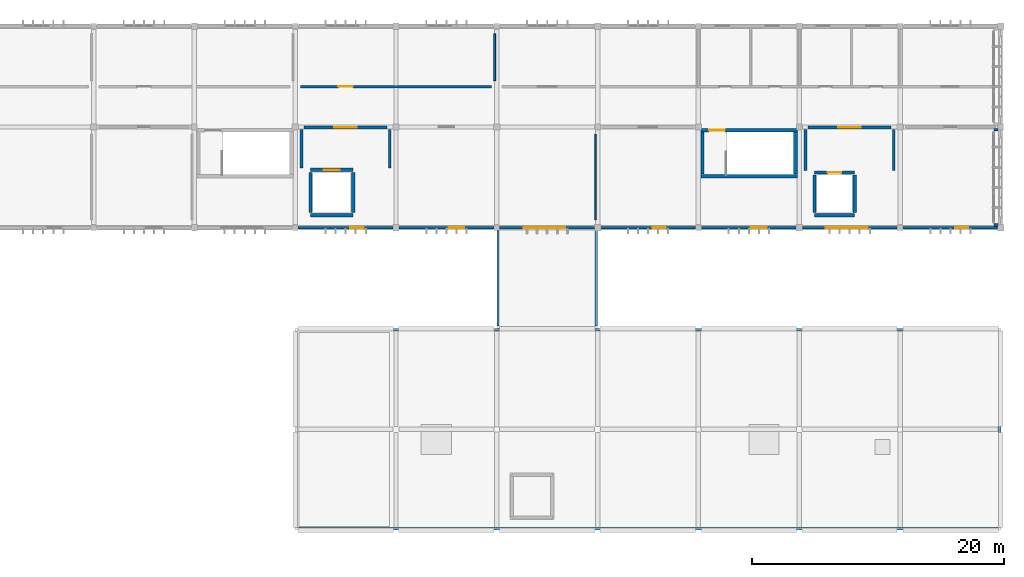
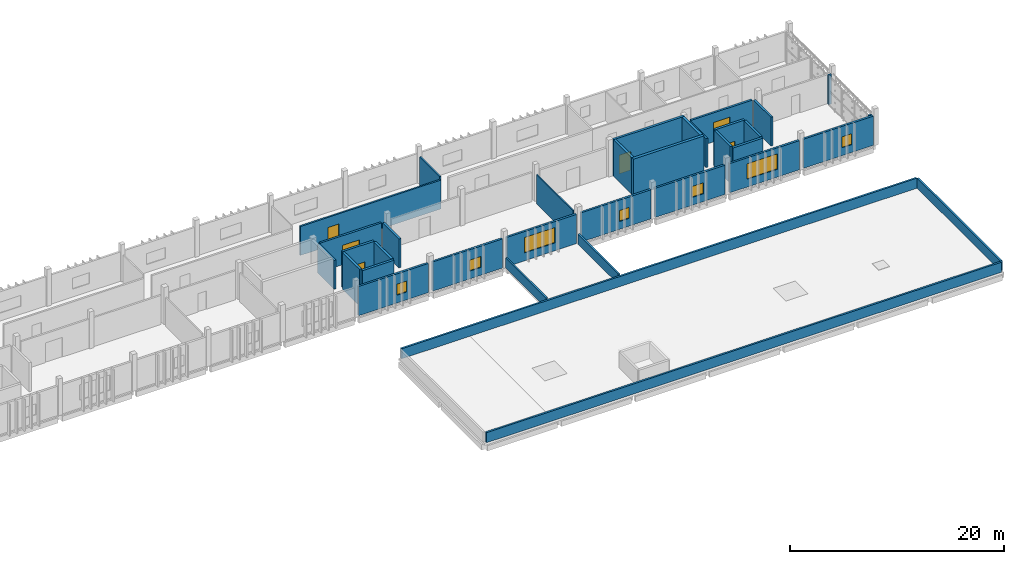
# One storey, part 12 of 16: 35 walls, 7 windows, 6 doors, 13 openings.
"""IFC4 building model written with IfcOpenShell, lengths in metres."""

from ifc_helpers import new_model, si_unit, direction, frame, frame_2d, origin, place, context, subcontext, project, spatial, rectangle, extrude, material, layer, layer_set, type_object, element, fill, save


model = new_model("IFC4")

# Units and contexts
model_context = context("Model", 3, precision=1e-05, world=origin(), true_north=direction((0.0, 1.0)))
body_context = subcontext(model_context, "Body", "Model", "MODEL_VIEW")
ifc_project = project(units=[si_unit("LENGTHUNIT", "METRE"), si_unit("AREAUNIT", "SQUARE_METRE"), si_unit("VOLUMEUNIT", "CUBIC_METRE"), si_unit("PLANEANGLEUNIT", "RADIAN"), si_unit("MASSUNIT", "GRAM", prefix="KILO")], contexts=[model_context])

# Site, building, storey
site_placement = place(None, origin())
site = spatial("IfcSite", under=ifc_project, at=site_placement, CompositionType="ELEMENT")
building_placement = place(site_placement, origin())
building = spatial("IfcBuilding", under=site, at=building_placement, Name="Jelvoka-Kovrelna Polytechnic", CompositionType="ELEMENT")
storey_placement = place(building_placement, frame((0.0, 0.0, 30.60009765625)))
storey = spatial("IfcBuildingStorey", under=building, at=storey_placement, Name="L08", CompositionType="ELEMENT", Elevation=30.60009765625)

# Wall, opening, door
ifc_material_1 = material(Name="Concrete C35/45", Category="concrete")
ifc_layer_1 = layer(ifc_material_1, 0.219970703125)
ifc_layer_set_1 = layer_set([ifc_layer_1], Name="Concrete C35/45")
wall_type_1 = type_object("IfcWallType", Name="Wall_Compartment_220", PredefinedType="PARTITIONING", material=ifc_layer_set_1)
wall_1_placement = place(storey_placement, frame((168.699951171875, 63.949951171875, 0.0), z_axis=(0.0, 0.0, 1.0), x_axis=(1.0, 0.0, 0.0)))
wall_1 = element("IfcWall", 1, at=wall_1_placement, inside=storey, type_object=wall_type_1, Name="L08 interior wall 0388", PredefinedType="PARTITIONING", context=body_context, shape_type="SweptSolid", body=[
    extrude(rectangle(XDim=6.60009765625, YDim=0.219970703125, at=frame_2d((3.300048828125, 0.0))), origin(), (0.0, 0.0, 1.0), 3.2998046875),
])
opening_1_placement = place(wall_1_placement, frame((2.39990234375, 0.0, 0.0)))
opening_1 = element("IfcOpeningElement", 2, at=opening_1_placement, cuts=wall_1, Name="Opening FD-L08-081", PredefinedType="OPENING", context=body_context, shape_type="SweptSolid", body=[
    extrude(rectangle(XDim=1.800048828125, YDim=2.199951171875, at=frame_2d((0.89990234375, 1.10009765625))), frame((0.0, 0.119873046875, 0.0), z_axis=(0.0, -1.0, 0.0), x_axis=(1.0, 0.0, 0.0)), (0.0, 0.0, 1.0), 0.239990234375),
])
ifc_material_2 = material(Name="Paired steel corridor fire door", Category="steel")
door_type_1 = type_object("IfcDoorType", Name="Door_Fire_FD03", OperationType="NOTDEFINED", PredefinedType="DOOR", material=ifc_material_2)
door_1_placement = place(opening_1_placement, origin())
door_1 = element("IfcDoor", 3, at=door_1_placement, inside=storey, type_object=door_type_1, Name="L08 interior door FD-L08-081", OperationType="DOUBLE_DOOR_SINGLE_SWING", OverallHeight=2.199951171875, OverallWidth=1.800048828125, PredefinedType="DOOR", context=body_context, shape_type="SweptSolid", body=[
    extrude(rectangle(XDim=1.800048828125, YDim=2.199951171875, at=frame_2d((0.89990234375, 1.10009765625))), frame((0.0, 0.02490234375, 0.0), z_axis=(0.0, -1.0, 0.0), x_axis=(1.0, 0.0, 0.0)), (0.0, 0.0, 1.0), 0.050048828125),
])
fill(opening_1, door_1)

# Walls
for number, where, z_axis, x_axis, name in (
    (4, (168.5, 60.550048828125, 0.0), (0.0, 0.0, 1.0), (0.0, 1.0, 0.0), "L08 interior wall 0389"),
    (5, (175.5, 60.550048828125, 0.0), (0.0, 0.0, 1.0), (0.0, 1.0, 0.0), "L08 interior wall 0390"),
):
    element("IfcWall", number, at=place(storey_placement, frame(where, z_axis=z_axis, x_axis=x_axis)), inside=storey, type_object=wall_type_1, Name=name, PredefinedType="PARTITIONING", context=body_context, shape_type="SweptSolid", body=[
        extrude(rectangle(XDim=3.25, YDim=0.219970703125, at=frame_2d((1.625, 0.0))), origin(), (0.0, 0.0, 1.0), 3.2998046875),
    ])

# Wall, opening, door
wall_2_placement = place(storey_placement, frame((128.699951171875, 63.949951171875, 0.0), z_axis=(0.0, 0.0, 1.0), x_axis=(1.0, 0.0, 0.0)))
wall_2 = element("IfcWall", 6, at=wall_2_placement, inside=storey, type_object=wall_type_1, Name="L08 interior wall 0688", PredefinedType="PARTITIONING", context=body_context, shape_type="SweptSolid", body=[
    extrude(rectangle(XDim=6.60009765625, YDim=0.219970703125, at=frame_2d((3.300048828125, 0.0))), origin(), (0.0, 0.0, 1.0), 3.2998046875),
])
opening_2_placement = place(wall_2_placement, frame((2.39990234375, 0.0, 0.0)))
opening_2 = element("IfcOpeningElement", 7, at=opening_2_placement, cuts=wall_2, Name="Opening FD-L08-117", PredefinedType="OPENING", context=body_context, shape_type="SweptSolid", body=[
    extrude(rectangle(XDim=1.800048828125, YDim=2.199951171875, at=frame_2d((0.89990234375, 1.10009765625))), frame((0.0, 0.119873046875, 0.0), z_axis=(0.0, -1.0, 0.0), x_axis=(1.0, 0.0, 0.0)), (0.0, 0.0, 1.0), 0.239990234375),
])
door_2_placement = place(opening_2_placement, origin())
door_2 = element("IfcDoor", 8, at=door_2_placement, inside=storey, type_object=door_type_1, Name="L08 interior door FD-L08-117", OperationType="DOUBLE_DOOR_SINGLE_SWING", OverallHeight=2.199951171875, OverallWidth=1.800048828125, PredefinedType="DOOR", context=body_context, shape_type="SweptSolid", body=[
    extrude(rectangle(XDim=1.800048828125, YDim=2.199951171875, at=frame_2d((0.89990234375, 1.10009765625))), frame((0.0, 0.02490234375, 0.0), z_axis=(0.0, -1.0, 0.0), x_axis=(1.0, 0.0, 0.0)), (0.0, 0.0, 1.0), 0.050048828125),
])
fill(opening_2, door_2)

# Walls
for number, where, z_axis, x_axis, name in (
    (9, (128.5, 60.75, 0.0), (0.0, 0.0, 1.0), (0.0, 1.0, 0.0), "L08 interior wall 0689"),
    (10, (135.5, 60.75, 0.0), (0.0, 0.0, 1.0), (0.0, 1.0, 0.0), "L08 interior wall 0690"),
):
    element("IfcWall", number, at=place(storey_placement, frame(where, z_axis=z_axis, x_axis=x_axis)), inside=storey, type_object=wall_type_1, Name=name, PredefinedType="PARTITIONING", context=body_context, shape_type="SweptSolid", body=[
        extrude(rectangle(XDim=3.050048828125, YDim=0.219970703125, at=frame_2d((1.52490234375, 0.0))), origin(), (0.0, 0.0, 1.0), 3.2998046875),
    ])

# Wall, opening, door
ifc_material_3 = material(Name="Concrete C40/50", Category="concrete")
ifc_layer_2 = layer(ifc_material_3, 0.25)
ifc_layer_set_2 = layer_set([ifc_layer_2], Name="Concrete C40/50")
wall_type_2 = type_object("IfcWallType", Name="Wall_Core_250", PredefinedType="SOLIDWALL", material=ifc_layer_set_2)
wall_3_placement = place(storey_placement, frame((160.199951171875, 63.739990234375, 0.0), z_axis=(0.0, 0.0, 1.0), x_axis=(1.0, 0.0, 0.0)))
wall_3 = element("IfcWall", 11, at=wall_3_placement, inside=storey, type_object=wall_type_2, Name="L08 interior wall 0215", PredefinedType="SOLIDWALL", context=body_context, shape_type="SweptSolid", body=[
    extrude(rectangle(XDim=7.650146484375, YDim=0.25, at=frame_2d((3.8251953125, 0.0))), origin(), (0.0, 0.0, 1.0), 4.199951171875),
])
opening_3_placement = place(wall_3_placement, frame((0.64990234375, 0.0, 0.0)))
opening_3 = element("IfcOpeningElement", 12, at=opening_3_placement, cuts=wall_3, Name="Opening SD-L08-054", PredefinedType="OPENING", context=body_context, shape_type="SweptSolid", body=[
    extrude(rectangle(XDim=1.25, YDim=2.14990234375, at=frame_2d((0.625, 1.074951171875))), frame((0.0, 0.135009765625, 0.0), z_axis=(0.0, -1.0, 0.0), x_axis=(1.0, 0.0, 0.0)), (0.0, 0.0, 1.0), 0.27001953125),
])
ifc_material_4 = material(Name="Powder-coated steel fire door", Category="steel")
door_type_2 = type_object("IfcDoorType", Name="Door_Fire_FD02", OperationType="NOTDEFINED", PredefinedType="DOOR", material=ifc_material_4)
door_3_placement = place(opening_3_placement, origin())
door_3 = element("IfcDoor", 13, at=door_3_placement, inside=storey, type_object=door_type_2, Name="L08 interior door SD-L08-054", OperationType="SINGLE_SWING_LEFT", OverallHeight=2.14990234375, OverallWidth=1.25, PredefinedType="DOOR", context=body_context, shape_type="SweptSolid", body=[
    extrude(rectangle(XDim=1.25, YDim=2.14990234375, at=frame_2d((0.625, 1.074951171875))), frame((0.0, 0.02490234375, 0.0), z_axis=(0.0, -1.0, 0.0), x_axis=(1.0, 0.0, 0.0)), (0.0, 0.0, 1.0), 0.050048828125),
])
fill(opening_3, door_3)

# Walls
wall_4_placement = place(storey_placement, frame((160.324951171875, 60.25, 0.0), z_axis=(0.0, 0.0, 1.0), x_axis=(0.0, 1.0, 0.0)))
element("IfcWall", 14, at=wall_4_placement, inside=storey, type_object=wall_type_2, Name="L08 interior wall 0216", PredefinedType="SOLIDWALL", context=body_context, shape_type="SweptSolid", body=[
    extrude(rectangle(XDim=3.360107421875, YDim=0.25, at=frame_2d((1.68017578125, 0.0))), origin(), (0.0, 0.0, 1.0), 4.199951171875),
])
wall_5_placement = place(storey_placement, frame((169.199951171875, 57.0, 0.0), z_axis=(0.0, 0.0, 1.0), x_axis=(1.0, 0.0, 0.0)))
element("IfcWall", 15, at=wall_5_placement, inside=storey, type_object=wall_type_2, Name="L08 interior wall 0384", PredefinedType="SOLIDWALL", context=body_context, shape_type="SweptSolid", body=[
    extrude(rectangle(XDim=3.199951171875, YDim=0.25, at=frame_2d((1.60009765625, 0.0))), origin(), (0.0, 0.0, 1.0), 4.199951171875),
])

# Wall, opening, door
wall_6_placement = place(storey_placement, frame((169.199951171875, 60.39990234375, 0.0), z_axis=(0.0, 0.0, 1.0), x_axis=(1.0, 0.0, 0.0)))
wall_6 = element("IfcWall", 16, at=wall_6_placement, inside=storey, type_object=wall_type_2, Name="L08 interior wall 0385", PredefinedType="SOLIDWALL", context=body_context, shape_type="SweptSolid", body=[
    extrude(rectangle(XDim=3.199951171875, YDim=0.25, at=frame_2d((1.60009765625, 0.0))), origin(), (0.0, 0.0, 1.0), 4.199951171875),
])
opening_4_placement = place(wall_6_placement, frame((1.050048828125, 0.0, 0.0)))
opening_4 = element("IfcOpeningElement", 17, at=opening_4_placement, cuts=wall_6, Name="Opening LD-L08-18", PredefinedType="OPENING", context=body_context, shape_type="SweptSolid", body=[
    extrude(rectangle(XDim=1.10009765625, YDim=2.14990234375, at=frame_2d((0.550048828125, 1.074951171875))), frame((0.0, 0.135009765625, 0.0), z_axis=(0.0, -1.0, 0.0), x_axis=(1.0, 0.0, 0.0)), (0.0, 0.0, 1.0), 0.27001953125),
])
ifc_material_5 = material(Name="Brushed stainless steel sliding landing door", Category="steel")
door_type_3 = type_object("IfcDoorType", Name="Door_Lift_LD01", OperationType="NOTDEFINED", PredefinedType="DOOR", material=ifc_material_5)
door_4_placement = place(opening_4_placement, origin())
door_4 = element("IfcDoor", 18, at=door_4_placement, inside=storey, type_object=door_type_3, Name="L08 lift landing sliding door LD-L08-18", OperationType="DOUBLE_DOOR_SLIDING", OverallHeight=2.14990234375, OverallWidth=1.10009765625, PredefinedType="DOOR", context=body_context, shape_type="SweptSolid", body=[
    extrude(rectangle(XDim=1.10009765625, YDim=2.14990234375, at=frame_2d((0.550048828125, 1.074951171875))), frame((0.0, 0.02490234375, 0.0), z_axis=(0.0, -1.0, 0.0), x_axis=(1.0, 0.0, 0.0)), (0.0, 0.0, 1.0), 0.050048828125),
])
fill(opening_4, door_4)

# Walls
for number, where, z_axis, x_axis, name in (
    (19, (169.199951171875, 57.199951171875, 0.0), (0.0, 0.0, 1.0), (0.0, 1.0, 0.0), "L08 interior wall 0386"),
    (20, (172.39990234375, 57.199951171875, 0.0), (0.0, 0.0, 1.0), (0.0, 1.0, 0.0), "L08 interior wall 0387"),
):
    element("IfcWall", number, at=place(storey_placement, frame(where, z_axis=z_axis, x_axis=x_axis)), inside=storey, type_object=wall_type_2, Name=name, PredefinedType="SOLIDWALL", context=body_context, shape_type="SweptSolid", body=[
        extrude(rectangle(XDim=3.0, YDim=0.25, at=frame_2d((1.5, 0.0))), origin(), (0.0, 0.0, 1.0), 4.199951171875),
    ])
wall_7_placement = place(storey_placement, frame((129.199951171875, 57.0, 0.0), z_axis=(0.0, 0.0, 1.0), x_axis=(1.0, 0.0, 0.0)))
element("IfcWall", 21, at=wall_7_placement, inside=storey, type_object=wall_type_2, Name="L08 interior wall 0684", PredefinedType="SOLIDWALL", context=body_context, shape_type="SweptSolid", body=[
    extrude(rectangle(XDim=3.400146484375, YDim=0.25, at=frame_2d((1.7001953125, 0.0))), origin(), (0.0, 0.0, 1.0), 4.199951171875),
])

# Wall, opening, door
wall_8_placement = place(storey_placement, frame((129.199951171875, 60.60009765625, 0.0), z_axis=(0.0, 0.0, 1.0), x_axis=(1.0, 0.0, 0.0)))
wall_8 = element("IfcWall", 22, at=wall_8_placement, inside=storey, type_object=wall_type_2, Name="L08 interior wall 0685", PredefinedType="SOLIDWALL", context=body_context, shape_type="SweptSolid", body=[
    extrude(rectangle(XDim=3.400146484375, YDim=0.25, at=frame_2d((1.7001953125, 0.0))), origin(), (0.0, 0.0, 1.0), 4.199951171875),
])
opening_5_placement = place(wall_8_placement, frame((1.050048828125, 0.0, 0.0)))
opening_5 = element("IfcOpeningElement", 23, at=opening_5_placement, cuts=wall_8, Name="Opening LD-L08-54", PredefinedType="OPENING", context=body_context, shape_type="SweptSolid", body=[
    extrude(rectangle(XDim=1.300048828125, YDim=2.199951171875, at=frame_2d((0.64990234375, 1.10009765625))), frame((0.0, 0.135009765625, 0.0), z_axis=(0.0, -1.0, 0.0), x_axis=(1.0, 0.0, 0.0)), (0.0, 0.0, 1.0), 0.27001953125),
])
ifc_material_6 = material(Name="Heavy-duty stainless goods lift landing door", Category="wood")
door_type_4 = type_object("IfcDoorType", Name="Door_Lift_LD02", OperationType="NOTDEFINED", PredefinedType="DOOR", material=ifc_material_6)
door_5_placement = place(opening_5_placement, origin())
door_5 = element("IfcDoor", 24, at=door_5_placement, inside=storey, type_object=door_type_4, Name="L08 lift landing sliding door LD-L08-54", OperationType="DOUBLE_DOOR_SLIDING", OverallHeight=2.199951171875, OverallWidth=1.300048828125, PredefinedType="DOOR", context=body_context, shape_type="SweptSolid", body=[
    extrude(rectangle(XDim=1.300048828125, YDim=2.199951171875, at=frame_2d((0.64990234375, 1.10009765625))), frame((0.0, 0.02490234375, 0.0), z_axis=(0.0, -1.0, 0.0), x_axis=(1.0, 0.0, 0.0)), (0.0, 0.0, 1.0), 0.050048828125),
])
fill(opening_5, door_5)

# Walls
for number, where, z_axis, x_axis, name in (
    (25, (129.199951171875, 57.199951171875, 0.0), (0.0, 0.0, 1.0), (0.0, 1.0, 0.0), "L08 interior wall 0686"),
    (26, (132.60009765625, 57.199951171875, 0.0), (0.0, 0.0, 1.0), (0.0, 1.0, 0.0), "L08 interior wall 0687"),
):
    element("IfcWall", number, at=place(storey_placement, frame(where, z_axis=z_axis, x_axis=x_axis)), inside=storey, type_object=wall_type_2, Name=name, PredefinedType="SOLIDWALL", context=body_context, shape_type="SweptSolid", body=[
        extrude(rectangle(XDim=3.199951171875, YDim=0.25, at=frame_2d((1.60009765625, 0.0))), origin(), (0.0, 0.0, 1.0), 4.199951171875),
    ])

# Wall, opening, door
ifc_material_7 = material(Name="Autoclaved aerated concrete blockwork", Category="masonry")
ifc_layer_3 = layer(ifc_material_7, 0.179931640625)
ifc_layer_set_3 = layer_set([ifc_layer_3], Name="Autoclaved aerated concrete blockwork")
wall_type_3 = type_object("IfcWallType", Name="Wall_Corridor_180", PredefinedType="PARTITIONING", material=ifc_layer_set_3)
wall_9_placement = place(storey_placement, frame((128.429931640625, 67.199951171875, 0.0), z_axis=(0.0, 0.0, 1.0), x_axis=(1.0, 0.0, 0.0)))
wall_9 = element("IfcWall", 27, at=wall_9_placement, inside=storey, type_object=wall_type_3, Name="L08 interior wall 1322", PredefinedType="PARTITIONING", context=body_context, shape_type="SweptSolid", body=[
    extrude(rectangle(XDim=15.14013671875, YDim=0.179931640625, at=frame_2d((7.570068359375, 0.0))), origin(), (0.0, 0.0, 1.0), 3.2998046875),
])
opening_6_placement = place(wall_9_placement, frame((2.9951171875, 0.0, 0.0)))
opening_6 = element("IfcOpeningElement", 28, at=opening_6_placement, cuts=wall_9, Name="Opening D-L08-475", PredefinedType="OPENING", context=body_context, shape_type="SweptSolid", body=[
    extrude(rectangle(XDim=1.14990234375, YDim=2.14990234375, at=frame_2d((0.574951171875, 1.074951171875))), frame((0.0, 0.099853515625, 0.0), z_axis=(0.0, -1.0, 0.0), x_axis=(1.0, 0.0, 0.0)), (0.0, 0.0, 1.0), 0.199951171875),
])
ifc_material_8 = material(Name="Hardwood fire-resisting laboratory door", Category="wood")
door_type_5 = type_object("IfcDoorType", Name="Door_Fire_FD30_03", OperationType="NOTDEFINED", PredefinedType="DOOR", material=ifc_material_8)
door_6_placement = place(opening_6_placement, origin())
door_6 = element("IfcDoor", 29, at=door_6_placement, inside=storey, type_object=door_type_5, Name="L08 interior door D-L08-475", OperationType="SINGLE_SWING_RIGHT", OverallHeight=2.14990234375, OverallWidth=1.14990234375, PredefinedType="DOOR", context=body_context, shape_type="SweptSolid", body=[
    extrude(rectangle(XDim=1.14990234375, YDim=2.14990234375, at=frame_2d((0.574951171875, 1.074951171875))), frame((0.0, 0.02490234375, 0.0), z_axis=(0.0, -1.0, 0.0), x_axis=(1.0, 0.0, 0.0)), (0.0, 0.0, 1.0), 0.050048828125),
])
fill(opening_6, door_6)

# Wall, opening, window
ifc_material_9 = material(Name="Precast concrete C40/50", Category="concrete")
ifc_layer_4 = layer(ifc_material_9, 0.219970703125)
ifc_layer_set_4 = layer_set([ifc_layer_4], Name="Precast concrete C40/50")
wall_type_4 = type_object("IfcWallType", Name="Wall_Ext_White_220", PredefinedType="STANDARD", material=ifc_layer_set_4)
wall_10_placement = place(storey_placement, frame((135.7529296875, 56.0, 0.0), z_axis=(0.0, 0.0, 1.0), x_axis=(-1.0, 0.0, 0.0)))
wall_10 = element("IfcWall", 30, at=wall_10_placement, inside=storey, type_object=wall_type_4, Name="L08 exterior wall 0832", PredefinedType="STANDARD", context=body_context, shape_type="SweptSolid", body=[
    extrude(rectangle(XDim=7.531005859375, YDim=0.219970703125, at=frame_2d((3.765625, 0.0))), origin(), (0.0, 0.0, 1.0), 3.3349609375),
])
opening_7_placement = place(wall_10_placement, frame((2.3330078125, 0.0, 0.89990234375)))
opening_7 = element("IfcOpeningElement", 31, at=opening_7_placement, cuts=wall_10, Name="Opening W-L08-478", PredefinedType="OPENING", context=body_context, shape_type="SweptSolid", body=[
    extrude(rectangle(XDim=1.050048828125, YDim=1.25, at=frame_2d((0.52490234375, 0.625))), frame((0.0, 0.119873046875, 0.0), z_axis=(0.0, -1.0, 0.0), x_axis=(1.0, 0.0, 0.0)), (0.0, 0.0, 1.0), 0.239990234375),
])
ifc_material_10 = material(Name="Thermally broken anodised aluminium and low-e glazing", Category="aluminium")
window_type_1 = type_object("IfcWindowType", Name="Win_Casement_W01", PartitioningType="SINGLE_PANEL", PredefinedType="WINDOW", material=ifc_material_10)
window_1_placement = place(opening_7_placement, origin())
window_1 = element("IfcWindow", 32, at=window_1_placement, inside=storey, type_object=window_type_1, Name="L08 aluminium casement window W-L08-478", OverallHeight=1.25, OverallWidth=1.050048828125, PartitioningType="SINGLE_PANEL", PredefinedType="WINDOW", context=body_context, shape_type="SweptSolid", body=[
    extrude(rectangle(XDim=1.050048828125, YDim=1.25, at=frame_2d((0.52490234375, 0.625))), frame((0.0, 0.030029296875, 0.0), z_axis=(0.0, -1.0, 0.0), x_axis=(1.0, 0.0, 0.0)), (0.0, 0.0, 1.0), 0.06005859375),
])
fill(opening_7, window_1)

wall_11_placement = place(storey_placement, frame((143.778076171875, 56.0, 0.0), z_axis=(0.0, 0.0, 1.0), x_axis=(-1.0, 0.0, 0.0)))
wall_11 = element("IfcWall", 33, at=wall_11_placement, inside=storey, type_object=wall_type_4, Name="L08 exterior wall 0834", PredefinedType="STANDARD", context=body_context, shape_type="SweptSolid", body=[
    extrude(rectangle(XDim=7.531005859375, YDim=0.219970703125, at=frame_2d((3.765625, 0.0))), origin(), (0.0, 0.0, 1.0), 3.3349609375),
])
opening_8_placement = place(wall_11_placement, frame((2.35791015625, 0.0, 0.89990234375)))
opening_8 = element("IfcOpeningElement", 34, at=opening_8_placement, cuts=wall_11, Name="Opening W-L08-480", PredefinedType="OPENING", context=body_context, shape_type="SweptSolid", body=[
    extrude(rectangle(XDim=1.25, YDim=1.25, at=frame_2d((0.625, 0.625))), frame((0.0, 0.119873046875, 0.0), z_axis=(0.0, -1.0, 0.0), x_axis=(1.0, 0.0, 0.0)), (0.0, 0.0, 1.0), 0.239990234375),
])
ifc_material_11 = material(Name="Thermally broken anodised aluminium and low-e glazing", Category="aluminium")
window_type_2 = type_object("IfcWindowType", Name="Win_Casement_W02", PartitioningType="SINGLE_PANEL", PredefinedType="WINDOW", material=ifc_material_11)
window_2_placement = place(opening_8_placement, origin())
window_2 = element("IfcWindow", 35, at=window_2_placement, inside=storey, type_object=window_type_2, Name="L08 aluminium casement window W-L08-480", OverallHeight=1.25, OverallWidth=1.25, PartitioningType="SINGLE_PANEL", PredefinedType="WINDOW", context=body_context, shape_type="SweptSolid", body=[
    extrude(rectangle(XDim=1.25, YDim=1.25, at=frame_2d((0.625, 0.625))), frame((0.0, 0.030029296875, 0.0), z_axis=(0.0, -1.0, 0.0), x_axis=(1.0, 0.0, 0.0)), (0.0, 0.0, 1.0), 0.06005859375),
])
fill(opening_8, window_2)

wall_12_placement = place(storey_placement, frame((151.7529296875, 56.0, 0.0), z_axis=(0.0, 0.0, 1.0), x_axis=(-1.0, 0.0, 0.0)))
wall_12 = element("IfcWall", 36, at=wall_12_placement, inside=storey, type_object=wall_type_4, Name="L08 exterior wall 0836", PredefinedType="STANDARD", context=body_context, shape_type="SweptSolid", body=[
    extrude(rectangle(XDim=7.531005859375, YDim=0.219970703125, at=frame_2d((3.765625, 0.0))), origin(), (0.0, 0.0, 1.0), 3.3349609375),
])
opening_9_placement = place(wall_12_placement, frame((2.3330078125, 0.0, 0.89990234375)))
opening_9 = element("IfcOpeningElement", 37, at=opening_9_placement, cuts=wall_12, Name="Opening W-L08-482", PredefinedType="OPENING", context=body_context, shape_type="SweptSolid", body=[
    extrude(rectangle(XDim=3.300048828125, YDim=1.75, at=frame_2d((1.64990234375, 0.875))), frame((0.0, 0.119873046875, 0.0), z_axis=(0.0, -1.0, 0.0), x_axis=(1.0, 0.0, 0.0)), (0.0, 0.0, 1.0), 0.239990234375),
])
ifc_material_12 = material(Name="Thermally broken anodised aluminium and low-e glazing", Category="aluminium")
window_type_3 = type_object("IfcWindowType", Name="Win_Casement_W62", PartitioningType="DOUBLE_PANEL_VERTICAL", PredefinedType="WINDOW", material=ifc_material_12)
window_3_placement = place(opening_9_placement, origin())
window_3 = element("IfcWindow", 38, at=window_3_placement, inside=storey, type_object=window_type_3, Name="L08 aluminium casement window W-L08-482", OverallHeight=1.75, OverallWidth=3.300048828125, PartitioningType="DOUBLE_PANEL_VERTICAL", PredefinedType="WINDOW", context=body_context, shape_type="SweptSolid", body=[
    extrude(rectangle(XDim=3.300048828125, YDim=1.75, at=frame_2d((1.64990234375, 0.875))), frame((0.0, 0.030029296875, 0.0), z_axis=(0.0, -1.0, 0.0), x_axis=(1.0, 0.0, 0.0)), (0.0, 0.0, 1.0), 0.06005859375),
])
fill(opening_9, window_3)

wall_13_placement = place(storey_placement, frame((159.778076171875, 56.0, 0.0), z_axis=(0.0, 0.0, 1.0), x_axis=(-1.0, 0.0, 0.0)))
wall_13 = element("IfcWall", 39, at=wall_13_placement, inside=storey, type_object=wall_type_4, Name="L08 exterior wall 0838", PredefinedType="STANDARD", context=body_context, shape_type="SweptSolid", body=[
    extrude(rectangle(XDim=7.531005859375, YDim=0.219970703125, at=frame_2d((3.765625, 0.0))), origin(), (0.0, 0.0, 1.0), 3.3349609375),
])
opening_10_placement = place(wall_13_placement, frame((2.35791015625, 0.0, 0.89990234375)))
opening_10 = element("IfcOpeningElement", 40, at=opening_10_placement, cuts=wall_13, Name="Opening W-L08-484", PredefinedType="OPENING", context=body_context, shape_type="SweptSolid", body=[
    extrude(rectangle(XDim=1.050048828125, YDim=1.25, at=frame_2d((0.52490234375, 0.625))), frame((0.0, 0.119873046875, 0.0), z_axis=(0.0, -1.0, 0.0), x_axis=(1.0, 0.0, 0.0)), (0.0, 0.0, 1.0), 0.239990234375),
])
window_4_placement = place(opening_10_placement, origin())
window_4 = element("IfcWindow", 41, at=window_4_placement, inside=storey, type_object=window_type_1, Name="L08 aluminium casement window W-L08-484", OverallHeight=1.25, OverallWidth=1.050048828125, PartitioningType="SINGLE_PANEL", PredefinedType="WINDOW", context=body_context, shape_type="SweptSolid", body=[
    extrude(rectangle(XDim=1.050048828125, YDim=1.25, at=frame_2d((0.52490234375, 0.625))), frame((0.0, 0.030029296875, 0.0), z_axis=(0.0, -1.0, 0.0), x_axis=(1.0, 0.0, 0.0)), (0.0, 0.0, 1.0), 0.06005859375),
])
fill(opening_10, window_4)

wall_14_placement = place(storey_placement, frame((167.7529296875, 56.0, 0.0), z_axis=(0.0, 0.0, 1.0), x_axis=(-1.0, 0.0, 0.0)))
wall_14 = element("IfcWall", 42, at=wall_14_placement, inside=storey, type_object=wall_type_4, Name="L08 exterior wall 0840", PredefinedType="STANDARD", context=body_context, shape_type="SweptSolid", body=[
    extrude(rectangle(XDim=7.531005859375, YDim=0.219970703125, at=frame_2d((3.765625, 0.0))), origin(), (0.0, 0.0, 1.0), 3.3349609375),
])
opening_11_placement = place(wall_14_placement, frame((2.3330078125, 0.0, 0.89990234375)))
opening_11 = element("IfcOpeningElement", 43, at=opening_11_placement, cuts=wall_14, Name="Opening W-L08-486", PredefinedType="OPENING", context=body_context, shape_type="SweptSolid", body=[
    extrude(rectangle(XDim=1.25, YDim=1.25, at=frame_2d((0.625, 0.625))), frame((0.0, 0.119873046875, 0.0), z_axis=(0.0, -1.0, 0.0), x_axis=(1.0, 0.0, 0.0)), (0.0, 0.0, 1.0), 0.239990234375),
])
window_5_placement = place(opening_11_placement, origin())
window_5 = element("IfcWindow", 44, at=window_5_placement, inside=storey, type_object=window_type_2, Name="L08 aluminium casement window W-L08-486", OverallHeight=1.25, OverallWidth=1.25, PartitioningType="SINGLE_PANEL", PredefinedType="WINDOW", context=body_context, shape_type="SweptSolid", body=[
    extrude(rectangle(XDim=1.25, YDim=1.25, at=frame_2d((0.625, 0.625))), frame((0.0, 0.030029296875, 0.0), z_axis=(0.0, -1.0, 0.0), x_axis=(1.0, 0.0, 0.0)), (0.0, 0.0, 1.0), 0.06005859375),
])
fill(opening_11, window_5)

wall_15_placement = place(storey_placement, frame((175.778076171875, 56.0, 0.0), z_axis=(0.0, 0.0, 1.0), x_axis=(-1.0, 0.0, 0.0)))
wall_15 = element("IfcWall", 45, at=wall_15_placement, inside=storey, type_object=wall_type_4, Name="L08 exterior wall 0842", PredefinedType="STANDARD", context=body_context, shape_type="SweptSolid", body=[
    extrude(rectangle(XDim=7.531005859375, YDim=0.219970703125, at=frame_2d((3.765625, 0.0))), origin(), (0.0, 0.0, 1.0), 3.3349609375),
])
opening_12_placement = place(wall_15_placement, frame((2.35791015625, 0.0, 0.89990234375)))
opening_12 = element("IfcOpeningElement", 46, at=opening_12_placement, cuts=wall_15, Name="Opening W-L08-489", PredefinedType="OPENING", context=body_context, shape_type="SweptSolid", body=[
    extrude(rectangle(XDim=3.300048828125, YDim=1.75, at=frame_2d((1.64990234375, 0.875))), frame((0.0, 0.119873046875, 0.0), z_axis=(0.0, -1.0, 0.0), x_axis=(1.0, 0.0, 0.0)), (0.0, 0.0, 1.0), 0.239990234375),
])
window_6_placement = place(opening_12_placement, origin())
window_6 = element("IfcWindow", 47, at=window_6_placement, inside=storey, type_object=window_type_3, Name="L08 aluminium casement window W-L08-489", OverallHeight=1.75, OverallWidth=3.300048828125, PartitioningType="DOUBLE_PANEL_VERTICAL", PredefinedType="WINDOW", context=body_context, shape_type="SweptSolid", body=[
    extrude(rectangle(XDim=3.300048828125, YDim=1.75, at=frame_2d((1.64990234375, 0.875))), frame((0.0, 0.030029296875, 0.0), z_axis=(0.0, -1.0, 0.0), x_axis=(1.0, 0.0, 0.0)), (0.0, 0.0, 1.0), 0.06005859375),
])
fill(opening_12, window_6)

wall_16_placement = place(storey_placement, frame((183.7529296875, 56.0, 0.0), z_axis=(0.0, 0.0, 1.0), x_axis=(-1.0, 0.0, 0.0)))
wall_16 = element("IfcWall", 48, at=wall_16_placement, inside=storey, type_object=wall_type_4, Name="L08 exterior wall 0844", PredefinedType="STANDARD", context=body_context, shape_type="SweptSolid", body=[
    extrude(rectangle(XDim=7.531005859375, YDim=0.219970703125, at=frame_2d((3.765625, 0.0))), origin(), (0.0, 0.0, 1.0), 3.3349609375),
])
opening_13_placement = place(wall_16_placement, frame((2.3330078125, 0.0, 0.89990234375)))
opening_13 = element("IfcOpeningElement", 49, at=opening_13_placement, cuts=wall_16, Name="Opening W-L08-492", PredefinedType="OPENING", context=body_context, shape_type="SweptSolid", body=[
    extrude(rectangle(XDim=1.050048828125, YDim=1.25, at=frame_2d((0.52490234375, 0.625))), frame((0.0, 0.119873046875, 0.0), z_axis=(0.0, -1.0, 0.0), x_axis=(1.0, 0.0, 0.0)), (0.0, 0.0, 1.0), 0.239990234375),
])
window_7_placement = place(opening_13_placement, origin())
window_7 = element("IfcWindow", 50, at=window_7_placement, inside=storey, type_object=window_type_1, Name="L08 aluminium casement window W-L08-492", OverallHeight=1.25, OverallWidth=1.050048828125, PartitioningType="SINGLE_PANEL", PredefinedType="WINDOW", context=body_context, shape_type="SweptSolid", body=[
    extrude(rectangle(XDim=1.050048828125, YDim=1.25, at=frame_2d((0.52490234375, 0.625))), frame((0.0, 0.030029296875, 0.0), z_axis=(0.0, -1.0, 0.0), x_axis=(1.0, 0.0, 0.0)), (0.0, 0.0, 1.0), 0.06005859375),
])
fill(opening_13, window_7)

# Walls
ifc_material_13 = material(Name="Precast concrete C40/50", Category="concrete")
ifc_layer_5 = layer(ifc_material_13, 0.179931640625)
ifc_layer_set_5 = layer_set([ifc_layer_5], Name="Precast concrete C40/50")
wall_type_5 = type_object("IfcWallType", Name="Wall_Parapet_180", PredefinedType="PARAPET", material=ifc_layer_set_5)
for number, where, z_axis, x_axis, name in (
    (51, (151.89990234375, 48.219970703125, 0.0), (0.0, 0.0, 1.0), (0.0, 1.0, 0.0), "L08 exterior wall 1217"),
    (52, (144.10009765625, 55.780029296875, 0.0), (0.0, 0.0, 1.0), (0.0, -1.0, 0.0), "L08 exterior wall 1218"),
):
    element("IfcWall", number, at=place(storey_placement, frame(where, z_axis=z_axis, x_axis=x_axis)), inside=storey, type_object=wall_type_5, Name=name, PredefinedType="PARAPET", context=body_context, shape_type="SweptSolid", body=[
        extrude(rectangle(XDim=7.56005859375, YDim=0.179931640625, at=frame_2d((3.780029296875, 0.0))), origin(), (0.0, 0.0, 1.0), 1.14990234375),
    ])
ifc_material_14 = material(Name="Precast concrete C40/50", Category="concrete")
ifc_layer_6 = layer(ifc_material_14, 0.199951171875)
ifc_layer_set_6 = layer_set([ifc_layer_6], Name="Precast concrete C40/50")
wall_type_6 = type_object("IfcWallType", Name="Wall_Parapet_200", PredefinedType="PARAPET", material=ifc_layer_set_6)
for number, where, z_axis, x_axis, name in (
    (53, (183.760009765625, 56.219970703125, 0.0), (0.0, 0.0, 1.0), (-1.0, 0.0, 0.0), "L08 exterior wall 0849"),
    (54, (183.760009765625, 63.780029296875, 0.0), (0.0, 0.0, 1.0), (-1.0, 0.0, 0.0), "L08 exterior wall 0850"),
):
    element("IfcWall", number, at=place(storey_placement, frame(where, z_axis=z_axis, x_axis=x_axis)), inside=storey, type_object=wall_type_6, Name=name, PredefinedType="PARAPET", context=body_context, shape_type="SweptSolid", body=[
        extrude(rectangle(XDim=0.320068359375, YDim=0.199951171875, at=frame_2d((0.16015625, 0.0))), origin(), (0.0, 0.0, 1.0), 3.349853515625),
    ])
wall_17_placement = place(storey_placement, frame((128.219970703125, 32.10009765625, 0.0), z_axis=(0.0, 0.0, 1.0), x_axis=(1.0, 0.0, 0.0)))
element("IfcWall", 55, at=wall_17_placement, inside=storey, type_object=wall_type_6, Name="L08 exterior wall 1213", PredefinedType="PARAPET", context=body_context, shape_type="SweptSolid", body=[
    extrude(rectangle(XDim=55.56005859375, YDim=0.199951171875, at=frame_2d((27.780029296875, 0.0))), origin(), (0.0, 0.0, 1.0), 1.14990234375),
])
wall_18_placement = place(storey_placement, frame((183.89990234375, 32.219970703125, 0.0), z_axis=(0.0, 0.0, 1.0), x_axis=(0.0, 1.0, 0.0)))
element("IfcWall", 56, at=wall_18_placement, inside=storey, type_object=wall_type_6, Name="L08 exterior wall 1214", PredefinedType="PARAPET", context=body_context, shape_type="SweptSolid", body=[
    extrude(rectangle(XDim=15.56005859375, YDim=0.199951171875, at=frame_2d((7.780029296875, 0.0))), origin(), (0.0, 0.0, 1.0), 1.14990234375),
])
wall_19_placement = place(storey_placement, frame((183.780029296875, 47.89990234375, 0.0), z_axis=(0.0, 0.0, 1.0), x_axis=(-1.0, 0.0, 0.0)))
element("IfcWall", 57, at=wall_19_placement, inside=storey, type_object=wall_type_6, Name="L08 exterior wall 1215", PredefinedType="PARAPET", context=body_context, shape_type="SweptSolid", body=[
    extrude(rectangle(XDim=55.56005859375, YDim=0.199951171875, at=frame_2d((27.780029296875, 0.0))), origin(), (0.0, 0.0, 1.0), 1.14990234375),
])
ifc_material_15 = material(Name="Acoustic gypsum stud partition")
ifc_layer_7 = layer(ifc_material_15, 0.125)
ifc_layer_set_7 = layer_set([ifc_layer_7], Name="Acoustic gypsum stud partition")
wall_type_7 = type_object("IfcWallType", Name="Wall_Partition_125", PredefinedType="PARTITIONING", material=ifc_layer_set_7)
wall_20_placement = place(storey_placement, frame((151.820068359375, 56.6201171875, 0.0), z_axis=(0.0, 0.0, 1.0), x_axis=(0.0, 1.0, 0.0)))
element("IfcWall", 58, at=wall_20_placement, inside=storey, type_object=wall_type_7, Name="L08 interior wall 1314", PredefinedType="PARTITIONING", context=body_context, shape_type="SweptSolid", body=[
    extrude(rectangle(XDim=6.809814453125, YDim=0.125, at=frame_2d((3.40478515625, 0.0))), origin(), (0.0, 0.0, 1.0), 3.2998046875),
])
ifc_material_16 = material(Name="Autoclaved aerated concrete blockwork", Category="masonry")
ifc_layer_8 = layer(ifc_material_16, 0.14990234375)
ifc_layer_set_8 = layer_set([ifc_layer_8], Name="Autoclaved aerated concrete blockwork")
wall_type_8 = type_object("IfcWallType", Name="Wall_Partition_150", PredefinedType="PARTITIONING", material=ifc_layer_set_8)
wall_21_placement = place(storey_placement, frame((143.820068359375, 67.669921875, 0.0), z_axis=(0.0, 0.0, 1.0), x_axis=(0.0, 1.0, 0.0)))
element("IfcWall", 59, at=wall_21_placement, inside=storey, type_object=wall_type_8, Name="L08 interior wall 1323", PredefinedType="PARTITIONING", context=body_context, shape_type="SweptSolid", body=[
    extrude(rectangle(XDim=3.7099609375, YDim=0.14990234375, at=frame_2d((1.85498046875, 0.0))), origin(), (0.0, 0.0, 1.0), 3.2998046875),
])
ifc_material_17 = material(Name="Concrete C40/50", Category="concrete")
ifc_layer_9 = layer(ifc_material_17, 0.300048828125)
ifc_layer_set_9 = layer_set([ifc_layer_9], Name="Concrete C40/50")
wall_type_9 = type_object("IfcWallType", Name="Wall_Shear_300", PredefinedType="SHEAR", material=ifc_layer_set_9)
wall_22_placement = place(storey_placement, frame((160.199951171875, 60.090087890625, 0.0), z_axis=(0.0, 0.0, 1.0), x_axis=(1.0, 0.0, 0.0)))
element("IfcWall", 60, at=wall_22_placement, inside=storey, type_object=wall_type_9, Name="L08 interior wall 0213", PredefinedType="SHEAR", context=body_context, shape_type="SweptSolid", body=[
    extrude(rectangle(XDim=7.650146484375, YDim=0.300048828125, at=frame_2d((3.8251953125, 0.0))), origin(), (0.0, 0.0, 1.0), 4.199951171875),
])
wall_23_placement = place(storey_placement, frame((167.7099609375, 60.25, 0.0), z_axis=(0.0, 0.0, 1.0), x_axis=(0.0, 1.0, 0.0)))
element("IfcWall", 61, at=wall_23_placement, inside=storey, type_object=wall_type_9, Name="L08 interior wall 0214", PredefinedType="SHEAR", context=body_context, shape_type="SweptSolid", body=[
    extrude(rectangle(XDim=3.360107421875, YDim=0.300048828125, at=frame_2d((1.68017578125, 0.0))), origin(), (0.0, 0.0, 1.0), 4.199951171875),
])

save(model, "model.ifc")
